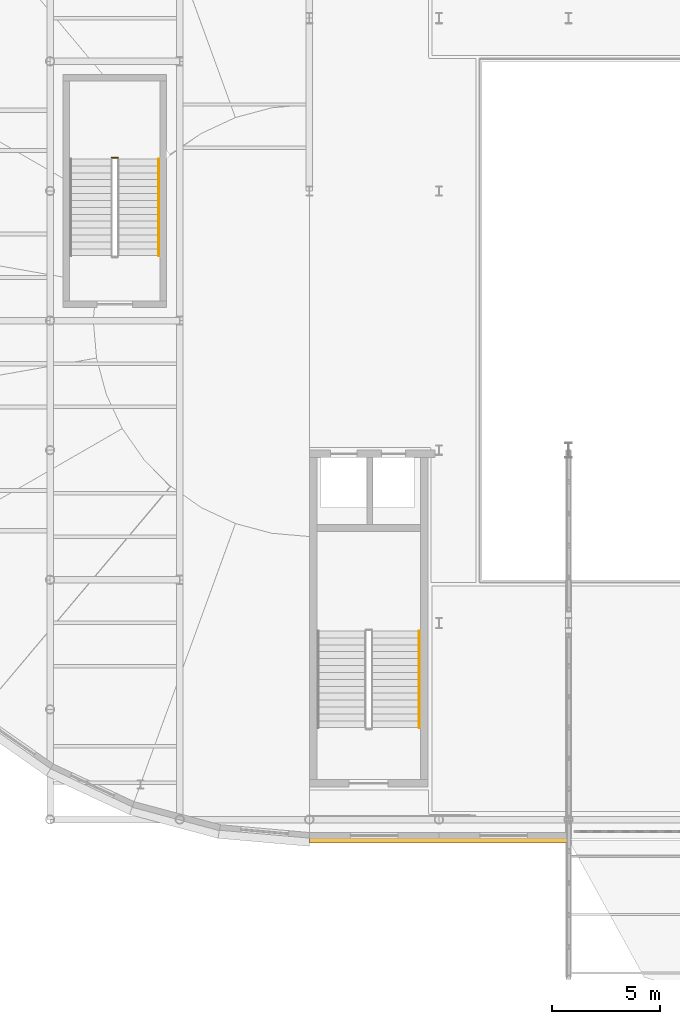
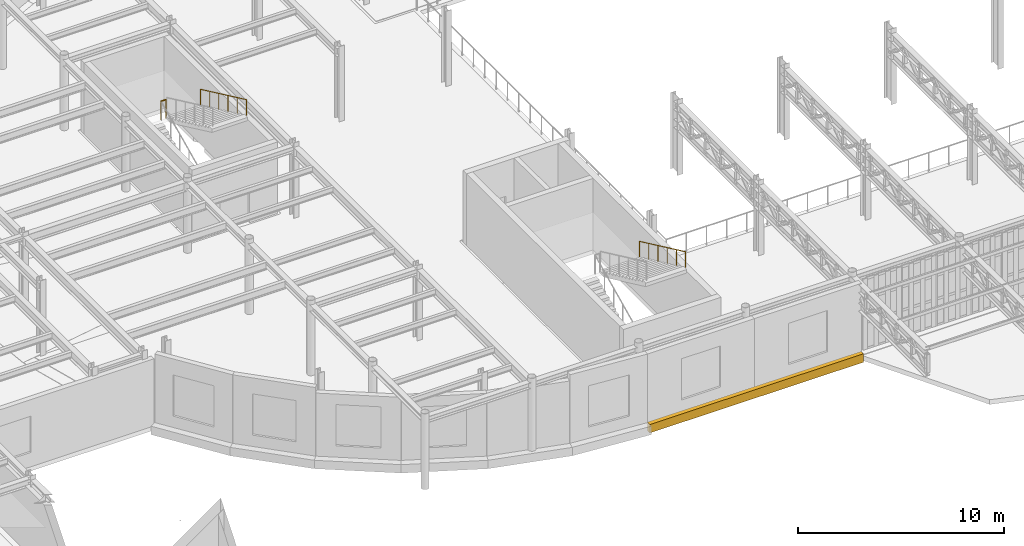
# One storey, part 80 of 91: 3 railings, 1 covering, 2 elements without a shape of their own.
"""IFC4 building model written with IfcOpenShell, lengths in metres."""

from ifc_helpers import new_model, si_unit, direction, frame, origin, origin_2d, place, context, subcontext, project, spatial, polyline, circle, outline, extrude, material, layer, layer_set, type_object, element, aggregate, save


model = new_model("IFC4")

# Units and contexts
model_context = context("Model", 3, precision=1e-05, world=origin(), true_north=direction((0.0, 1.0)))
body_context = subcontext(model_context, "Body", "Model", "MODEL_VIEW")
ifc_project = project(units=[si_unit("LENGTHUNIT", "METRE"), si_unit("AREAUNIT", "SQUARE_METRE"), si_unit("VOLUMEUNIT", "CUBIC_METRE"), si_unit("PLANEANGLEUNIT", "RADIAN"), si_unit("MASSUNIT", "GRAM", prefix="KILO")], contexts=[model_context])

# Site, building, storey
site_placement = place(None, origin())
site = spatial("IfcSite", under=ifc_project, at=site_placement, CompositionType="ELEMENT")
building_placement = place(site_placement, origin())
building = spatial("IfcBuilding", under=site, at=building_placement, Name="Kolvaren Corner Interchange", CompositionType="ELEMENT")
storey_placement = place(building_placement, frame((0.0, 0.0, 6.0)))
storey = spatial("IfcBuildingStorey", under=building, at=storey_placement, Name="L02", CompositionType="ELEMENT", Elevation=6.0)

# Covering
ifc_material_1 = material(Name="Glazed White Terracotta Fascia Cladding", Category="masonry")
ifc_layer = layer(ifc_material_1, 0.0400390625)
ifc_layer_set = layer_set([ifc_layer], Name="Glazed White Terracotta Fascia Cladding")
covering_type = type_object("IfcCoveringType", Name="COV-WHT-CLAD40", PredefinedType="CLADDING", material=ifc_layer_set)
covering_placement = place(storey_placement, frame((0.0, 0.0, -0.320068359375)))
element("IfcCovering", 1, at=covering_placement, inside=storey, type_object=covering_type, Name="Racetrack South West L02 White Band", PredefinedType="CLADDING", context=body_context, shape_type="SweptSolid", body=[
    extrude(outline(polyline([(60.0, 23.820068359375), (72.0, 23.820068359375), (72.0, 24.06005859375), (60.0, 24.06005859375), (60.0, 23.820068359375)])), origin(), (0.0, 0.0, 1.0), 0.5),
])

# Stair, railing
ifc_material_2 = material(Name="Concrete C35/45", Category="concrete")
stair_type_1 = type_object("IfcStairType", Name="ST-GL-2000", PredefinedType="HALF_TURN_STAIR", material=ifc_material_2)
stair_1_placement = place(storey_placement, origin())
stair_1 = element("IfcStair", 2, at=stair_1_placement, inside=storey, type_object=stair_type_1, Name="West Racetrack Concourse Gallery Stair L02 to L03 Stair", PredefinedType="HALF_TURN_STAIR")
ifc_material_3 = material(Name="Powder-Coated Steel Stairwell Guardrail", Category="steel")
railing_type_1 = type_object("IfcRailingType", Name="RLT-STAIR-GRD1120", PredefinedType="GUARDRAIL", material=ifc_material_3)
railing_1_placement = place(storey_placement, frame((50.860107421875, 55.5400390625, 2.25)))
railing_1 = element("IfcRailing", 3, at=railing_1_placement, type_object=railing_type_1, Name="West Racetrack Concourse Gallery Stair L02 Half Landing Well Guardrail", PredefinedType="GUARDRAIL", context=body_context, shape_type="SweptSolid", body=[
    extrude(circle(Radius=0.02392578125, at=origin_2d()), frame((0.0, 0.0, 1.09619140625), z_axis=(1.0, 0.0, 0.0), x_axis=(0.0, 1.0, 0.0)), (0.0, 0.0, 1.0), 0.27978515625),
    extrude(circle(Radius=0.02001953125, at=origin_2d()), origin(), (0.0, 0.0, 1.0), 1.072021484375),
    extrude(circle(Radius=0.02001953125, at=origin_2d()), frame((0.27978515625, 0.0, 0.0)), (0.0, 0.0, 1.0), 1.072021484375),
])

ifc_material_4 = material(Name="Concrete C35/45", Category="concrete")
stair_type_2 = type_object("IfcStairType", Name="ST-TR-2300", PredefinedType="HALF_TURN_STAIR", material=ifc_material_4)
stair_2_placement = place(storey_placement, origin())
stair_2 = element("IfcStair", 4, at=stair_2_placement, inside=storey, type_object=stair_type_2, Name="Core C3 West Concourse Transfer Stair L02 to L03 Stair", PredefinedType="HALF_TURN_STAIR")
ifc_material_5 = material(Name="Brushed Stainless Steel Stair Handrail", Category="steel")
railing_type_2 = type_object("IfcRailingType", Name="RLT-STAIR-HR950", PredefinedType="HANDRAIL", material=ifc_material_5)
railing_2_placement = place(storey_placement, frame((65.090087890625, 33.6298828125, 2.39990234375)))
railing_2 = element("IfcRailing", 5, at=railing_2_placement, type_object=railing_type_2, Name="Core C3 West Concourse Transfer Stair L02 Upper Flight Wall Handrail", PredefinedType="HANDRAIL", context=body_context, shape_type="SweptSolid", body=[
    extrude(circle(Radius=0.02197265625, at=origin_2d()), frame((0.0, 0.0, 0.927978515625), z_axis=(0.0, -0.905450639465, 0.424451574969), x_axis=(1.0, 0.0, 0.0)), (0.0, 0.0, 1.0), 4.94775390625),
    extrude(circle(Radius=0.01806640625, at=origin_2d()), origin(), (0.0, 0.0, 1.0), 0.906005859375),
    extrude(circle(Radius=0.01806640625, at=origin_2d()), frame((0.0, -0.89599609375, 0.419921875)), (0.0, 0.0, 1.0), 0.906005859375),
    extrude(circle(Radius=0.01806640625, at=origin_2d()), frame((0.0, -1.7919921875, 0.840087890625)), (0.0, 0.0, 1.0), 0.906005859375),
    extrude(circle(Radius=0.01806640625, at=origin_2d()), frame((0.0, -2.68798828125, 1.260009765625)), (0.0, 0.0, 1.0), 0.906005859375),
    extrude(circle(Radius=0.01806640625, at=origin_2d()), frame((0.0, -3.583984375, 1.68017578125)), (0.0, 0.0, 1.0), 0.906005859375),
    extrude(circle(Radius=0.01806640625, at=origin_2d()), frame((0.0, -4.47998046875, 2.10009765625)), (0.0, 0.0, 1.0), 0.906005859375),
])
aggregate(stair_2, [railing_2])

# Railing
railing_3_placement = place(storey_placement, frame((53.0400390625, 55.47998046875, 2.39990234375)))
railing_3 = element("IfcRailing", 6, at=railing_3_placement, type_object=railing_type_2, Name="West Racetrack Concourse Gallery Stair L02 Upper Flight Wall Handrail", PredefinedType="HANDRAIL", context=body_context, shape_type="SweptSolid", body=[
    extrude(circle(Radius=0.02197265625, at=origin_2d()), frame((0.0, 0.0, 0.927978515625), z_axis=(0.0, -0.905450639465, 0.424451574969), x_axis=(1.0, 0.0, 0.0)), (0.0, 0.0, 1.0), 4.94775390625),
    extrude(circle(Radius=0.01806640625, at=origin_2d()), origin(), (0.0, 0.0, 1.0), 0.906005859375),
    extrude(circle(Radius=0.01806640625, at=origin_2d()), frame((0.0, -0.89599609375, 0.419921875)), (0.0, 0.0, 1.0), 0.906005859375),
    extrude(circle(Radius=0.01806640625, at=origin_2d()), frame((0.0, -1.7919921875, 0.840087890625)), (0.0, 0.0, 1.0), 0.906005859375),
    extrude(circle(Radius=0.01806640625, at=origin_2d()), frame((0.0, -2.68798828125, 1.260009765625)), (0.0, 0.0, 1.0), 0.906005859375),
    extrude(circle(Radius=0.01806640625, at=origin_2d()), frame((0.0, -3.583984375, 1.68017578125)), (0.0, 0.0, 1.0), 0.906005859375),
    extrude(circle(Radius=0.01806640625, at=origin_2d()), frame((0.0, -4.47998046875, 2.10009765625)), (0.0, 0.0, 1.0), 0.906005859375),
])

aggregate(stair_1, [railing_1, railing_3])

save(model, "model.ifc")
